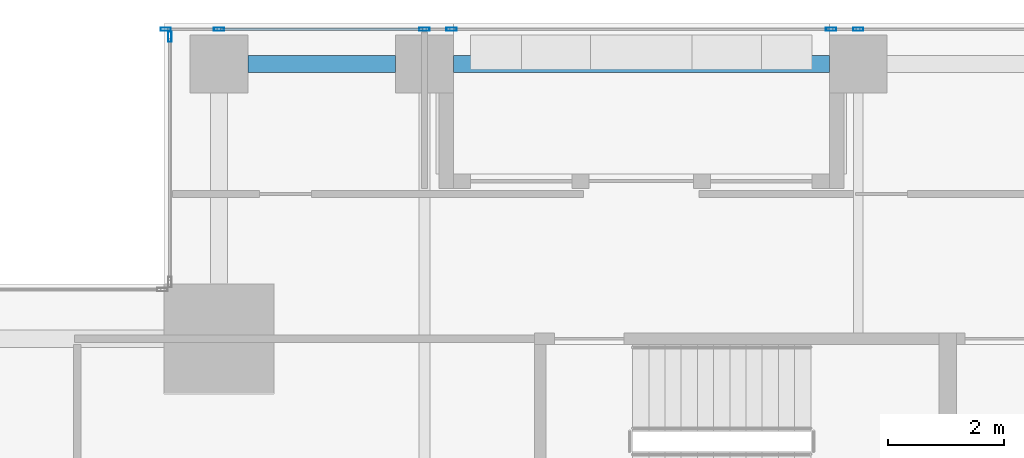
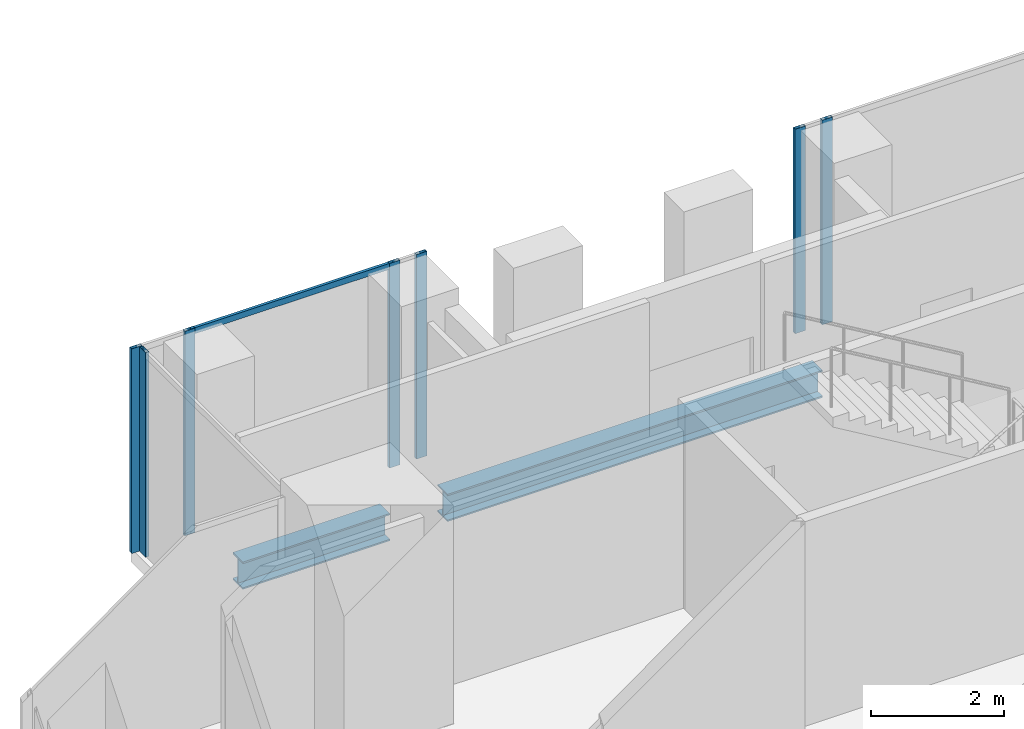
# One storey, part 21 of 40: 8 members, 2 beams, 3 elements without a shape of their own.
"""IFC4 building model written with IfcOpenShell, lengths in metres."""

from ifc_helpers import new_model, si_unit, direction, frame, origin, origin_2d, place, context, subcontext, project, spatial, hollow_rectangle, i_section, extrude, source, transform, mapped, material, material_profile, profile_set, type_object, element, aggregate, save


model = new_model("IFC4")

# Units and contexts
model_context = context("Model", 3, precision=1e-05, world=origin(), true_north=direction((0.0, 1.0)))
body_context = subcontext(model_context, "Body", "Model", "MODEL_VIEW")
ifc_project = project(units=[si_unit("LENGTHUNIT", "METRE"), si_unit("AREAUNIT", "SQUARE_METRE"), si_unit("VOLUMEUNIT", "CUBIC_METRE"), si_unit("PLANEANGLEUNIT", "RADIAN"), si_unit("MASSUNIT", "GRAM", prefix="KILO")], contexts=[model_context])

# Site, building, storey
site_placement = place(None, origin())
site = spatial("IfcSite", under=ifc_project, at=site_placement, CompositionType="ELEMENT")
building_placement = place(site_placement, origin())
building = spatial("IfcBuilding", under=site, at=building_placement, Name="Khomas Fold Tower", CompositionType="ELEMENT")
storey_placement = place(building_placement, frame((0.0, 0.0, 204.699951171875)))
storey = spatial("IfcBuildingStorey", under=building, at=storey_placement, Name="L45", CompositionType="ELEMENT", Elevation=204.699951171875)

# Beams
ifc_material_1 = material(Name="Steel S355", Category="steel")
ifc_material_profile_1 = material_profile(ifc_material_1, i_section(OverallWidth=0.300048828125, OverallDepth=0.5, WebThickness=0.014404296875, FlangeThickness=0.028076171875, at=origin_2d()), Name="HE 500 B")
ifc_profile_set_1 = profile_set([ifc_material_profile_1], Name="Steel S355")
beam_type = type_object("IfcBeamType", Name="HE 500 B spandrel SB3", PredefinedType="SPANDREL", material=ifc_profile_set_1)
shared_shape_1 = source(origin(), body_context, "Body", "SweptSolid", [
    extrude(i_section(OverallWidth=0.300048828125, OverallDepth=0.5, WebThickness=0.014404296875, FlangeThickness=0.028076171875, at=origin_2d()), origin(), (0.0, 0.0, 1.0), 2.550048828125),
])
beam_1_placement = place(storey_placement, frame((8.949951171875, 50.300048828125, -0.5), z_axis=(1.0, 0.0, 0.0), x_axis=(0.0, 1.0, 0.0)))
element("IfcBeam", 1, at=beam_1_placement, inside=storey, type_object=beam_type, Name="SB3", PredefinedType="SPANDREL", context=body_context, shape_type="MappedRepresentation", body=[
    mapped(shared_shape_1, transform((0.0, 0.0, 0.0))),
])
shared_shape_2 = source(origin(), body_context, "Body", "SweptSolid", [
    extrude(i_section(OverallWidth=0.300048828125, OverallDepth=0.5, WebThickness=0.014404296875, FlangeThickness=0.028076171875, at=origin_2d()), origin(), (0.0, 0.0, 1.0), 6.5),
])
beam_2_placement = place(storey_placement, frame((12.5, 50.300048828125, -0.5), z_axis=(1.0, 0.0, 0.0), x_axis=(0.0, 1.0, 0.0)))
element("IfcBeam", 2, at=beam_2_placement, inside=storey, type_object=beam_type, Name="SB3", PredefinedType="SPANDREL", context=body_context, shape_type="MappedRepresentation", body=[
    mapped(shared_shape_2, transform((0.0, 0.0, 0.0))),
])

# Curtain wall, members
ifc_material_2 = material(Name="Aluminium framed double glazing", Category="aluminium")
curtain_wall_type = type_object("IfcCurtainWallType", Name="SK-Unitised clear-glass wall, office floors CW2", PredefinedType="NOTDEFINED", material=ifc_material_2)
curtain_wall_1_placement = place(storey_placement, origin())
curtain_wall_1 = element("IfcCurtainWall", 3, at=curtain_wall_1_placement, inside=storey, type_object=curtain_wall_type, Name="CW2 run L45 06-0", PredefinedType="NOTDEFINED")
ifc_material_3 = material(Name="Aluminium", Category="aluminium")
ifc_material_profile_2 = material_profile(ifc_material_3, hollow_rectangle(XDim=0.06005859375, YDim=0.179931640625, WallThickness=0.00390625, at=origin_2d()), Name="SK-Unitised clear-glass wall, office floors mullion CW2-M")
ifc_profile_set_2 = profile_set([ifc_material_profile_2], Name="Aluminium")
member_type_1 = type_object("IfcMemberType", Name="SK-Unitised clear-glass wall, office floors mullion CW2-M", PredefinedType="MULLION", material=ifc_profile_set_2)
shared_shape_3 = source(origin(), body_context, "Body", "SweptSolid", [
    extrude(hollow_rectangle(XDim=0.06005859375, YDim=0.179931640625, WallThickness=0.00390625, at=origin_2d()), origin(), (0.0, 0.0, 1.0), 3.75),
])
member_1_placement = place(storey_placement, frame((19.5, 50.89990234375, 0.0), z_axis=(0.0, 0.0, 1.0), x_axis=(0.0, -1.0, 0.0)))
member_1 = element("IfcMember", 4, at=member_1_placement, type_object=member_type_1, Name="CW2 mullion 4", PredefinedType="MULLION", context=body_context, shape_type="MappedRepresentation", body=[
    mapped(shared_shape_3, transform((0.0, 0.0, 0.0))),
])
member_2_placement = place(storey_placement, frame((19.030029296875, 50.89990234375, 0.0), z_axis=(0.0, 0.0, 1.0), x_axis=(0.0, -1.0, 0.0)))
member_2 = element("IfcMember", 5, at=member_2_placement, type_object=member_type_1, Name="CW2 mullion 5", PredefinedType="MULLION", context=body_context, shape_type="MappedRepresentation", body=[
    mapped(shared_shape_3, transform((0.0, 0.0, 0.0))),
])
aggregate(curtain_wall_1, [member_1, member_2])

curtain_wall_2_placement = place(storey_placement, origin())
curtain_wall_2 = element("IfcCurtainWall", 6, at=curtain_wall_2_placement, inside=storey, type_object=curtain_wall_type, Name="CW2 run L45 06-1", PredefinedType="NOTDEFINED")
member_3_placement = place(storey_placement, frame((12.469970703125, 50.89990234375, 0.0), z_axis=(0.0, 0.0, 1.0), x_axis=(0.0, -1.0, 0.0)))
member_3 = element("IfcMember", 7, at=member_3_placement, type_object=member_type_1, Name="CW2 mullion 1", PredefinedType="MULLION", context=body_context, shape_type="MappedRepresentation", body=[
    mapped(shared_shape_3, transform((0.0, 0.0, 0.0))),
])
member_4_placement = place(storey_placement, frame((12.0, 50.89990234375, 0.0), z_axis=(0.0, 0.0, 1.0), x_axis=(0.0, -1.0, 0.0)))
member_4 = element("IfcMember", 8, at=member_4_placement, type_object=member_type_1, Name="CW2 mullion 2", PredefinedType="MULLION", context=body_context, shape_type="MappedRepresentation", body=[
    mapped(shared_shape_3, transform((0.0, 0.0, 0.0))),
])
member_5_placement = place(storey_placement, frame((8.449951171875, 50.89990234375, 0.0), z_axis=(0.0, 0.0, 1.0), x_axis=(0.0, -1.0, 0.0)))
member_5 = element("IfcMember", 9, at=member_5_placement, type_object=member_type_1, Name="CW2 mullion 3", PredefinedType="MULLION", context=body_context, shape_type="MappedRepresentation", body=[
    mapped(shared_shape_3, transform((0.0, 0.0, 0.0))),
])
member_6_placement = place(storey_placement, frame((7.530029296875, 50.89990234375, 0.0), z_axis=(0.0, 0.0, 1.0), x_axis=(0.0, -1.0, 0.0)))
member_6 = element("IfcMember", 10, at=member_6_placement, type_object=member_type_1, Name="CW2 mullion 4", PredefinedType="MULLION", context=body_context, shape_type="MappedRepresentation", body=[
    mapped(shared_shape_3, transform((0.0, 0.0, 0.0))),
])

# Curtain wall, member
curtain_wall_3_placement = place(storey_placement, origin())
curtain_wall_3 = element("IfcCurtainWall", 11, at=curtain_wall_3_placement, inside=storey, type_object=curtain_wall_type, Name="CW2 corner return L45 07", PredefinedType="NOTDEFINED")
member_7_placement = place(storey_placement, frame((7.60009765625, 50.77001953125, 0.0), z_axis=(0.0, 0.0, 1.0), x_axis=(1.0, 0.0, 0.0)))
member_7 = element("IfcMember", 12, at=member_7_placement, type_object=member_type_1, Name="CW2 mullion 1", PredefinedType="MULLION", context=body_context, shape_type="MappedRepresentation", body=[
    mapped(shared_shape_3, transform((0.0, 0.0, 0.0))),
])
aggregate(curtain_wall_3, [member_7])

# Member
ifc_material_4 = material(Name="Aluminium", Category="aluminium")
ifc_material_profile_3 = material_profile(ifc_material_4, hollow_rectangle(XDim=0.050048828125, YDim=0.110107421875, WallThickness=0.00390625, at=origin_2d()), Name="SK-Unitised clear-glass wall, office floors transom CW2-T")
ifc_profile_set_3 = profile_set([ifc_material_profile_3], Name="Aluminium")
member_type_2 = type_object("IfcMemberType", Name="SK-Unitised clear-glass wall, office floors transom CW2-T", PredefinedType="USERDEFINED", material=ifc_profile_set_3)
shared_shape_4 = source(origin(), body_context, "Body", "SweptSolid", [
    extrude(hollow_rectangle(XDim=0.050048828125, YDim=0.110107421875, WallThickness=0.00390625, at=origin_2d()), origin(), (0.0, 0.0, 1.0), 3.489990234375),
])
member_8_placement = place(storey_placement, frame((11.969970703125, 50.89990234375, 3.695068359375), z_axis=(-1.0, 0.0, 0.0), x_axis=(0.0, -1.0, 0.0)))
member_8 = element("IfcMember", 13, at=member_8_placement, type_object=member_type_2, Name="CW2 transom 2", ObjectType="TRANSOM", PredefinedType="USERDEFINED", context=body_context, shape_type="MappedRepresentation", body=[
    mapped(shared_shape_4, transform((0.0, 0.0, 0.0))),
])

aggregate(curtain_wall_2, [member_3, member_4, member_5, member_6, member_8])

save(model, "model.ifc")
